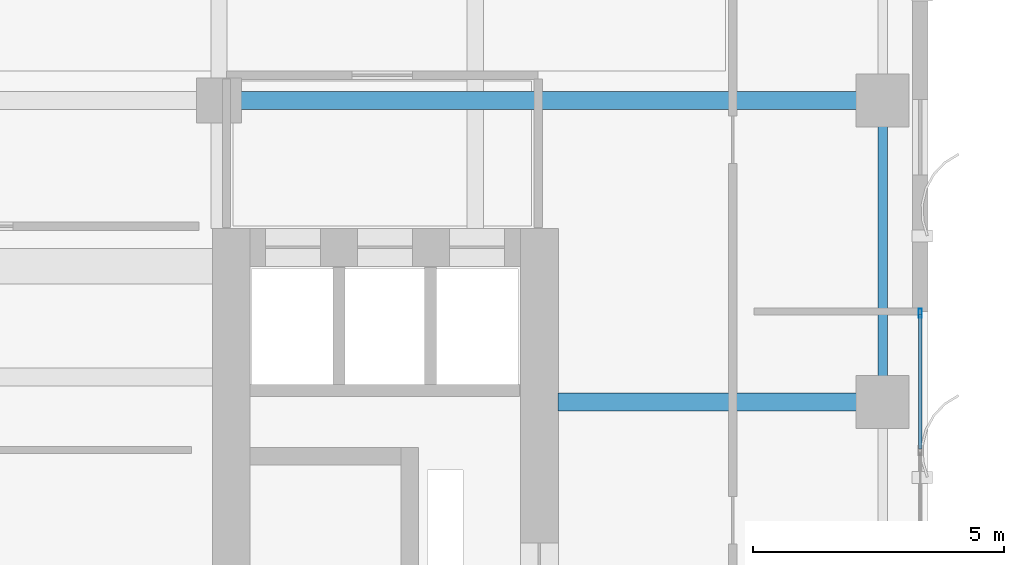
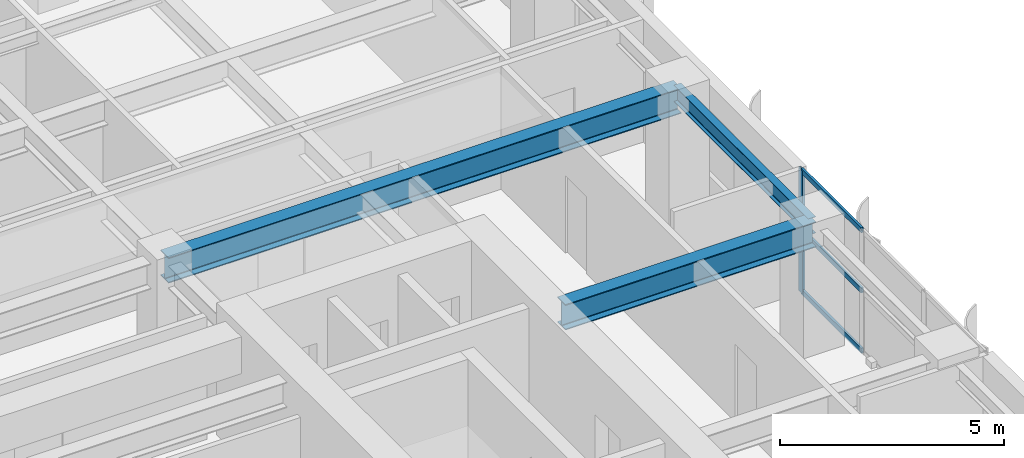
# One storey, part 7 of 22: 4 members, 3 beams, 1 element without a shape of its own.
"""IFC4 building model written with IfcOpenShell, lengths in metres."""

from ifc_helpers import new_model, si_unit, direction, frame, origin, origin_2d, place, context, subcontext, project, spatial, hollow_rectangle, i_section, extrude, source, transform, mapped, material, layer, layer_set, material_profile, profile_set, type_object, element, aggregate, save


model = new_model("IFC4")

# Units and contexts
model_context = context("Model", 3, precision=1e-05, world=origin(), true_north=direction((0.0, 1.0)))
body_context = subcontext(model_context, "Body", "Model", "MODEL_VIEW")
ifc_project = project(units=[si_unit("LENGTHUNIT", "METRE"), si_unit("AREAUNIT", "SQUARE_METRE"), si_unit("VOLUMEUNIT", "CUBIC_METRE"), si_unit("PLANEANGLEUNIT", "RADIAN"), si_unit("MASSUNIT", "GRAM", prefix="KILO")], contexts=[model_context])

# Site, building, storey
site_placement = place(None, origin())
site = spatial("IfcSite", under=ifc_project, at=site_placement, CompositionType="ELEMENT")
building_placement = place(site_placement, origin())
building = spatial("IfcBuilding", under=site, at=building_placement, Name="Khoralis Quay Care Tower", CompositionType="ELEMENT")
storey_placement = place(building_placement, frame((0.0, 0.0, 94.5)))
storey = spatial("IfcBuildingStorey", under=building, at=storey_placement, Name="L24", CompositionType="ELEMENT", Elevation=94.5)

# Beams
ifc_material_1 = material(Name="Steel S355", Category="steel")
ifc_material_profile_1 = material_profile(ifc_material_1, i_section(OverallWidth=0.18994140625, OverallDepth=0.449951171875, WebThickness=0.009521484375, FlangeThickness=0.0146484375, FilletRadius=0.02099609375, at=origin_2d()), Name="Steel S355")
ifc_profile_set_1 = profile_set([ifc_material_profile_1], Name="Steel S355")
beam_type_1 = type_object("IfcBeamType", Name="BM-IPE450", PredefinedType="SPANDREL", material=ifc_profile_set_1)
shared_shape_1 = source(origin(), body_context, "Body", "SweptSolid", [
    extrude(i_section(OverallWidth=0.18994140625, OverallDepth=0.449951171875, WebThickness=0.009521484375, FlangeThickness=0.0146484375, FilletRadius=0.02099609375, at=origin_2d()), origin(), (0.0, 0.0, 1.0), 6.0),
])
beam_1_placement = place(storey_placement, frame((44.10009765625, 24.0, 3.114990234375), z_axis=(0.0, 1.0, 0.0), x_axis=(-1.0, 0.0, 0.0)))
element("IfcBeam", 1, at=beam_1_placement, inside=storey, type_object=beam_type_1, Name="BM-TSP-L24-19", PredefinedType="SPANDREL", context=body_context, shape_type="MappedRepresentation", body=[
    mapped(shared_shape_1, transform((0.0, 0.0, 0.0), scale=1.0)),
])
ifc_material_profile_2 = material_profile(ifc_material_1, i_section(OverallWidth=0.35498046875, OverallDepth=0.695068359375, WebThickness=0.015380859375, FlangeThickness=0.02490234375, FilletRadius=0.02001953125, at=origin_2d()), Name="Steel S355")
ifc_profile_set_2 = profile_set([ifc_material_profile_2], Name="Steel S355")
beam_type_2 = type_object("IfcBeamType", Name="BM-W690X217", PredefinedType="BEAM", material=ifc_profile_set_2)
shared_shape_2 = source(origin(), body_context, "Body", "SweptSolid", [
    extrude(i_section(OverallWidth=0.35498046875, OverallDepth=0.695068359375, WebThickness=0.015380859375, FlangeThickness=0.02490234375, FilletRadius=0.02001953125, at=origin_2d()), origin(), (0.0, 0.0, 1.0), 13.2001953125),
])
beam_2_placement = place(storey_placement, frame((30.89990234375, 30.0, 2.992431640625), z_axis=(1.0, 0.0, 0.0), x_axis=(0.0, 1.0, 0.0)))
element("IfcBeam", 2, at=beam_2_placement, inside=storey, type_object=beam_type_2, Name="BM-TGXE-L24-300", PredefinedType="BEAM", context=body_context, shape_type="MappedRepresentation", body=[
    mapped(shared_shape_2, transform((0.0, 0.0, 0.0), scale=1.0)),
])
shared_shape_3 = source(origin(), body_context, "Body", "SweptSolid", [
    extrude(i_section(OverallWidth=0.35498046875, OverallDepth=0.695068359375, WebThickness=0.015380859375, FlangeThickness=0.02490234375, FilletRadius=0.02001953125, at=origin_2d()), origin(), (0.0, 0.0, 1.0), 6.4521484375),
])
beam_3_placement = place(storey_placement, frame((37.64794921875, 24.0, 2.992431640625), z_axis=(1.0, 0.0, 0.0), x_axis=(0.0, 1.0, 0.0)))
element("IfcBeam", 3, at=beam_3_placement, inside=storey, type_object=beam_type_2, Name="BM-TGXE-L24-240", PredefinedType="BEAM", context=body_context, shape_type="MappedRepresentation", body=[
    mapped(shared_shape_3, transform((0.0, 0.0, 0.0), scale=1.0)),
])

# Curtain wall, members
ifc_material_2 = material(Name="Pale anodised aluminium", Category="aluminium")
ifc_layer = layer(ifc_material_2, 0.169921875)
ifc_layer_set = layer_set([ifc_layer], Name="Pale anodised aluminium")
curtain_wall_type = type_object("IfcCurtainWallType", Name="CW-SYS-Z2", PredefinedType="NOTDEFINED", material=ifc_layer_set)
curtain_wall_placement = place(storey_placement, origin())
curtain_wall = element("IfcCurtainWall", 4, at=curtain_wall_placement, inside=storey, type_object=curtain_wall_type, Name="L24 Unitised Curtain Wall CW-L24-P1-E5", PredefinedType="NOTDEFINED")
ifc_material_profile_3 = material_profile(ifc_material_2, hollow_rectangle(XDim=0.06494140625, YDim=0.179931640625, WallThickness=0.00390625, at=origin_2d()), Name="Pale anodised aluminium")
ifc_profile_set_3 = profile_set([ifc_material_profile_3], Name="Pale anodised aluminium")
member_type_1 = type_object("IfcMemberType", Name="CW-MUL-180", PredefinedType="MULLION", material=ifc_profile_set_3)
shared_shape_4 = source(origin(), body_context, "Body", "SweptSolid", [
    extrude(hollow_rectangle(XDim=0.06494140625, YDim=0.179931640625, WallThickness=0.00390625, at=origin_2d()), origin(), (0.0, 0.0, 1.0), 3.340087890625),
])
member_1_placement = place(storey_placement, frame((44.85009765625, 25.77001953125, 0.0), z_axis=(0.0, 0.0, 1.0), x_axis=(-1.0, 0.0, 0.0)))
member_1 = element("IfcMember", 5, at=member_1_placement, type_object=member_type_1, Name="CW2 mullion 4", PredefinedType="MULLION", context=body_context, shape_type="MappedRepresentation", body=[
    mapped(shared_shape_4, transform((0.0, 0.0, 0.0), scale=1.0)),
])
ifc_material_profile_4 = material_profile(ifc_material_2, hollow_rectangle(XDim=0.06005859375, YDim=0.139892578125, WallThickness=0.00390625, at=origin_2d()), Name="Pale anodised aluminium")
ifc_profile_set_4 = profile_set([ifc_material_profile_4], Name="Pale anodised aluminium")
member_type_2 = type_object("IfcMemberType", Name="CW-TRN-140", PredefinedType="USERDEFINED", material=ifc_profile_set_4)
shared_shape_5 = source(origin(), body_context, "Body", "SweptSolid", [
    extrude(hollow_rectangle(XDim=0.06005859375, YDim=0.139892578125, WallThickness=0.00390625, at=origin_2d()), origin(), (0.0, 0.0, 1.0), 2.6767578125),
])
member_2_placement = place(storey_placement, frame((44.85009765625, 23.063232421875, 0.030029296875), z_axis=(0.0, 1.0, 0.0), x_axis=(-1.0, 0.0, 0.0)))
member_2 = element("IfcMember", 6, at=member_2_placement, type_object=member_type_2, Name="CW2 transom 3.1", ObjectType="TRANSOM", PredefinedType="USERDEFINED", context=body_context, shape_type="MappedRepresentation", body=[
    mapped(shared_shape_5, transform((0.0, 0.0, 0.0), scale=1.0)),
])
member_3_placement = place(storey_placement, frame((44.85009765625, 23.063232421875, 1.669921875), z_axis=(0.0, 1.0, 0.0), x_axis=(-1.0, 0.0, 0.0)))
member_3 = element("IfcMember", 7, at=member_3_placement, type_object=member_type_2, Name="CW2 transom 3.2", ObjectType="TRANSOM", PredefinedType="USERDEFINED", context=body_context, shape_type="MappedRepresentation", body=[
    mapped(shared_shape_5, transform((0.0, 0.0, 0.0), scale=1.0)),
])
member_4_placement = place(storey_placement, frame((44.85009765625, 23.063232421875, 3.31005859375), z_axis=(0.0, 1.0, 0.0), x_axis=(-1.0, 0.0, 0.0)))
member_4 = element("IfcMember", 8, at=member_4_placement, type_object=member_type_2, Name="CW2 transom 3.3", ObjectType="TRANSOM", PredefinedType="USERDEFINED", context=body_context, shape_type="MappedRepresentation", body=[
    mapped(shared_shape_5, transform((0.0, 0.0, 0.0), scale=1.0)),
])
aggregate(curtain_wall, [member_1, member_2, member_3, member_4])

save(model, "model.ifc")
